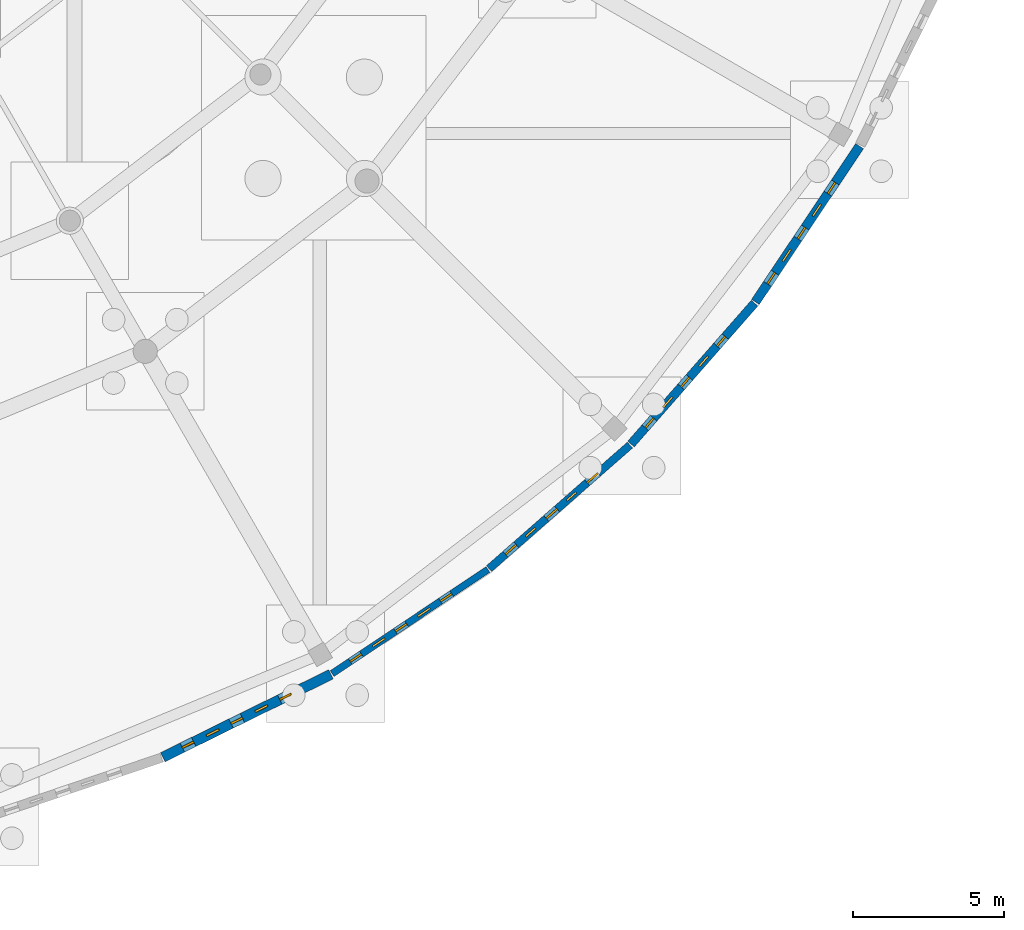
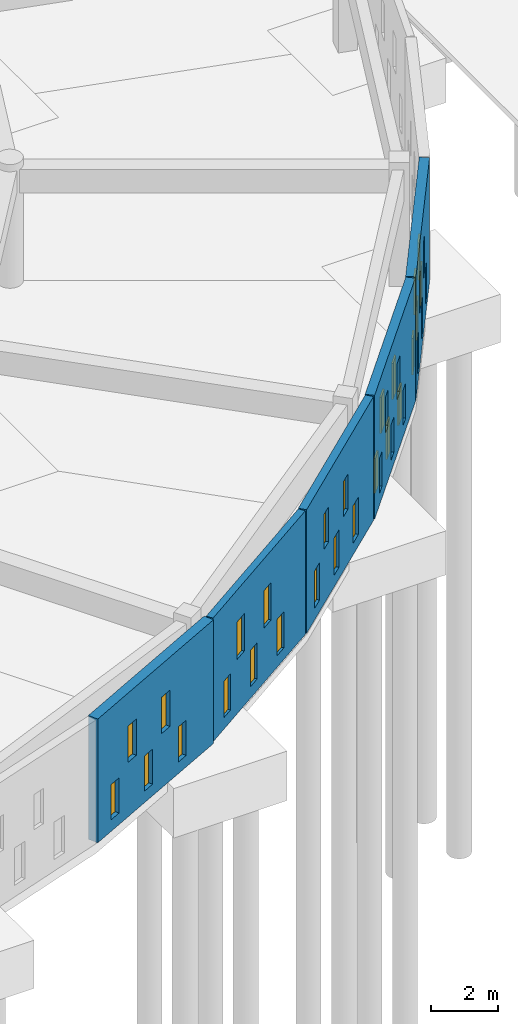
# One storey, part 46 of 84: 25 windows, 5 walls, 25 openings.
"""IFC4 building model written with IfcOpenShell, lengths in metres."""

from ifc_helpers import new_model, si_unit, direction, frame, frame_2d, origin, place, context, subcontext, project, spatial, rectangle, extrude, material, layer, layer_set, type_object, element, fill, save


model = new_model("IFC4")

# Units and contexts
model_context = context("Model", 3, precision=1e-05, world=origin(), true_north=direction((0.0, 1.0)))
body_context = subcontext(model_context, "Body", "Model", "MODEL_VIEW")
ifc_project = project(units=[si_unit("LENGTHUNIT", "METRE"), si_unit("AREAUNIT", "SQUARE_METRE"), si_unit("VOLUMEUNIT", "CUBIC_METRE"), si_unit("PLANEANGLEUNIT", "RADIAN"), si_unit("MASSUNIT", "GRAM", prefix="KILO")], contexts=[model_context])

# Site, building, storey
site_placement = place(None, origin())
site = spatial("IfcSite", under=ifc_project, at=site_placement, CompositionType="ELEMENT")
building_placement = place(site_placement, origin())
building = spatial("IfcBuilding", under=site, at=building_placement, Name="Larkveld Mobility Hub", CompositionType="ELEMENT")
storey_placement = place(building_placement, origin())
storey = spatial("IfcBuildingStorey", under=building, at=storey_placement, Name="L00", CompositionType="ELEMENT", Elevation=0.0)

# Wall, openings, windows
ifc_material_1 = material(Name="Fired clay brick 25 MPa", Category="masonry")
ifc_layer_1 = layer(ifc_material_1, 0.22998046875, Name="Fired clay brick 25 MPa", Category="masonry")
ifc_layer_set_1 = layer_set([ifc_layer_1], Name="Fired clay brick 25 MPa")
wall_type_1 = type_object("IfcWallType", Name="WL-BRK-230", PredefinedType="USERDEFINED", material=ifc_layer_set_1)
wall_1_placement = place(storey_placement, frame((71.945068359375, 6.573974609375, 0.0), z_axis=(0.0, 0.0, 1.0), x_axis=(0.831426871608, 0.555634193664, 0.0)))
wall_1 = element("IfcWall", 1, at=wall_1_placement, inside=storey, type_object=wall_type_1, Name="Drum Woven Open-Bond Brick Chord L00-0039", ObjectType="PERFORATED BRICK SCREEN", PredefinedType="USERDEFINED", context=body_context, shape_type="SweptSolid", body=[
    extrude(rectangle(XDim=6.210693359375, YDim=0.22998046875, at=frame_2d((3.10546875, 0.0))), origin(), (0.0, 0.0, 1.0), 4.5),
])
opening_1_placement = place(wall_1_placement, frame((0.719970703125, 0.0, 0.419921875)))
opening_1 = element("IfcOpeningElement", 2, at=opening_1_placement, cuts=wall_1, Name="Opening W02", PredefinedType="OPENING", context=body_context, shape_type="SweptSolid", body=[
    extrude(rectangle(XDim=0.449951171875, YDim=1.320068359375, at=frame_2d((0.22509765625, 0.66015625))), frame((0.0, 0.125, 0.0), z_axis=(0.0, -1.0, 0.0), x_axis=(1.0, 0.0, 0.0)), (0.0, 0.0, 1.0), 0.25),
])
opening_2_placement = place(wall_1_placement, frame((2.52001953125, 0.0, 0.419921875)))
opening_2 = element("IfcOpeningElement", 3, at=opening_2_placement, cuts=wall_1, Name="Opening W02", PredefinedType="OPENING", context=body_context, shape_type="SweptSolid", body=[
    extrude(rectangle(XDim=0.449951171875, YDim=1.320068359375, at=frame_2d((0.22509765625, 0.66015625))), frame((0.0, 0.125, 0.0), z_axis=(0.0, -1.0, 0.0), x_axis=(1.0, 0.0, 0.0)), (0.0, 0.0, 1.0), 0.25),
])
opening_3_placement = place(wall_1_placement, frame((4.320068359375, 0.0, 0.419921875)))
opening_3 = element("IfcOpeningElement", 4, at=opening_3_placement, cuts=wall_1, Name="Opening W02", PredefinedType="OPENING", context=body_context, shape_type="SweptSolid", body=[
    extrude(rectangle(XDim=0.449951171875, YDim=1.320068359375, at=frame_2d((0.22509765625, 0.66015625))), frame((0.0, 0.125, 0.0), z_axis=(0.0, -1.0, 0.0), x_axis=(1.0, 0.0, 0.0)), (0.0, 0.0, 1.0), 0.25),
])
opening_4_placement = place(wall_1_placement, frame((1.6201171875, 0.0, 1.97998046875)))
opening_4 = element("IfcOpeningElement", 5, at=opening_4_placement, cuts=wall_1, Name="Opening W03", PredefinedType="OPENING", context=body_context, shape_type="SweptSolid", body=[
    extrude(rectangle(XDim=0.47998046875, YDim=1.360107421875, at=frame_2d((0.239990234375, 0.68017578125))), frame((0.0, 0.125, 0.0), z_axis=(0.0, -1.0, 0.0), x_axis=(1.0, 0.0, 0.0)), (0.0, 0.0, 1.0), 0.25),
])
opening_5_placement = place(wall_1_placement, frame((3.419921875, 0.0, 1.97998046875)))
opening_5 = element("IfcOpeningElement", 6, at=opening_5_placement, cuts=wall_1, Name="Opening W03", PredefinedType="OPENING", context=body_context, shape_type="SweptSolid", body=[
    extrude(rectangle(XDim=0.47998046875, YDim=1.360107421875, at=frame_2d((0.239990234375, 0.68017578125))), frame((0.0, 0.125, 0.0), z_axis=(0.0, -1.0, 0.0), x_axis=(1.0, 0.0, 0.0)), (0.0, 0.0, 1.0), 0.25),
])
ifc_material_2 = material(Name="Extruded aluminium ventilation grille", Category="aluminium")
window_type_1 = type_object("IfcWindowType", Name="WN-VENT-02", PartitioningType="SINGLE_PANEL", PredefinedType="WINDOW", material=ifc_material_2)
window_1_placement = place(opening_1_placement, origin())
window_1 = element("IfcWindow", 7, at=window_1_placement, inside=storey, type_object=window_type_1, Name="Window W02 (0181)", OverallHeight=1.320068359375, OverallWidth=0.449951171875, PartitioningType="SINGLE_PANEL", PredefinedType="WINDOW", context=body_context, shape_type="SweptSolid", body=[
    extrude(rectangle(XDim=0.449951171875, YDim=1.320068359375, at=frame_2d((0.22509765625, 0.66015625))), frame((0.0, 0.030029296875, 0.0), z_axis=(0.0, -1.0, 0.0), x_axis=(1.0, 0.0, 0.0)), (0.0, 0.0, 1.0), 0.06005859375),
])
fill(opening_1, window_1)
window_2_placement = place(opening_2_placement, origin())
window_2 = element("IfcWindow", 8, at=window_2_placement, inside=storey, type_object=window_type_1, Name="Window W02 (0182)", OverallHeight=1.320068359375, OverallWidth=0.449951171875, PartitioningType="SINGLE_PANEL", PredefinedType="WINDOW", context=body_context, shape_type="SweptSolid", body=[
    extrude(rectangle(XDim=0.449951171875, YDim=1.320068359375, at=frame_2d((0.22509765625, 0.66015625))), frame((0.0, 0.030029296875, 0.0), z_axis=(0.0, -1.0, 0.0), x_axis=(1.0, 0.0, 0.0)), (0.0, 0.0, 1.0), 0.06005859375),
])
fill(opening_2, window_2)
window_3_placement = place(opening_3_placement, origin())
window_3 = element("IfcWindow", 9, at=window_3_placement, inside=storey, type_object=window_type_1, Name="Window W02 (0183)", OverallHeight=1.320068359375, OverallWidth=0.449951171875, PartitioningType="SINGLE_PANEL", PredefinedType="WINDOW", context=body_context, shape_type="SweptSolid", body=[
    extrude(rectangle(XDim=0.449951171875, YDim=1.320068359375, at=frame_2d((0.22509765625, 0.66015625))), frame((0.0, 0.030029296875, 0.0), z_axis=(0.0, -1.0, 0.0), x_axis=(1.0, 0.0, 0.0)), (0.0, 0.0, 1.0), 0.06005859375),
])
fill(opening_3, window_3)
window_type_2 = type_object("IfcWindowType", Name="WN-VENT-03", PartitioningType="SINGLE_PANEL", PredefinedType="WINDOW", material=ifc_material_2)
window_4_placement = place(opening_4_placement, origin())
window_4 = element("IfcWindow", 10, at=window_4_placement, inside=storey, type_object=window_type_2, Name="Window W03 (0184)", OverallHeight=1.360107421875, OverallWidth=0.47998046875, PartitioningType="SINGLE_PANEL", PredefinedType="WINDOW", context=body_context, shape_type="SweptSolid", body=[
    extrude(rectangle(XDim=0.47998046875, YDim=1.360107421875, at=frame_2d((0.239990234375, 0.68017578125))), frame((0.0, 0.030029296875, 0.0), z_axis=(0.0, -1.0, 0.0), x_axis=(1.0, 0.0, 0.0)), (0.0, 0.0, 1.0), 0.06005859375),
])
fill(opening_4, window_4)
window_5_placement = place(opening_5_placement, origin())
window_5 = element("IfcWindow", 11, at=window_5_placement, inside=storey, type_object=window_type_2, Name="Window W03 (0185)", OverallHeight=1.360107421875, OverallWidth=0.47998046875, PartitioningType="SINGLE_PANEL", PredefinedType="WINDOW", context=body_context, shape_type="SweptSolid", body=[
    extrude(rectangle(XDim=0.47998046875, YDim=1.360107421875, at=frame_2d((0.239990234375, 0.68017578125))), frame((0.0, 0.030029296875, 0.0), z_axis=(0.0, -1.0, 0.0), x_axis=(1.0, 0.0, 0.0)), (0.0, 0.0, 1.0), 0.06005859375),
])
fill(opening_5, window_5)

ifc_layer_2 = layer(ifc_material_1, 0.260009765625, Name="Fired clay brick 25 MPa", Category="masonry")
ifc_layer_set_2 = layer_set([ifc_layer_2], Name="Fired clay brick 25 MPa")
wall_type_2 = type_object("IfcWallType", Name="WL-BRK-260", PredefinedType="USERDEFINED", material=ifc_layer_set_2)
wall_2_placement = place(storey_placement, frame((77.14697265625, 10.053955078125, 0.0), z_axis=(0.0, 0.0, 1.0), x_axis=(0.751874993266, 0.65930569124, 0.0)))
wall_2 = element("IfcWall", 12, at=wall_2_placement, inside=storey, type_object=wall_type_2, Name="Drum Woven Open-Bond Brick Chord L00-0040", ObjectType="PERFORATED BRICK SCREEN", PredefinedType="USERDEFINED", context=body_context, shape_type="SweptSolid", body=[
    extrude(rectangle(XDim=6.2109375, YDim=0.260009765625, at=frame_2d((3.10546875, 0.0))), origin(), (0.0, 0.0, 1.0), 4.5),
])
opening_6_placement = place(wall_2_placement, frame((0.719970703125, 0.0, 0.419921875)))
opening_6 = element("IfcOpeningElement", 13, at=opening_6_placement, cuts=wall_2, Name="Opening W03", PredefinedType="OPENING", context=body_context, shape_type="SweptSolid", body=[
    extrude(rectangle(XDim=0.47998046875, YDim=1.360107421875, at=frame_2d((0.239990234375, 0.68017578125))), frame((0.0, 0.14013671875, 0.0), z_axis=(0.0, -1.0, 0.0), x_axis=(1.0, 0.0, 0.0)), (0.0, 0.0, 1.0), 0.280029296875),
])
opening_7_placement = place(wall_2_placement, frame((2.52001953125, 0.0, 0.419921875)))
opening_7 = element("IfcOpeningElement", 14, at=opening_7_placement, cuts=wall_2, Name="Opening W03", PredefinedType="OPENING", context=body_context, shape_type="SweptSolid", body=[
    extrude(rectangle(XDim=0.47998046875, YDim=1.360107421875, at=frame_2d((0.239990234375, 0.68017578125))), frame((0.0, 0.14013671875, 0.0), z_axis=(0.0, -1.0, 0.0), x_axis=(1.0, 0.0, 0.0)), (0.0, 0.0, 1.0), 0.280029296875),
])
opening_8_placement = place(wall_2_placement, frame((4.320068359375, 0.0, 0.419921875)))
opening_8 = element("IfcOpeningElement", 15, at=opening_8_placement, cuts=wall_2, Name="Opening W03", PredefinedType="OPENING", context=body_context, shape_type="SweptSolid", body=[
    extrude(rectangle(XDim=0.47998046875, YDim=1.360107421875, at=frame_2d((0.239990234375, 0.68017578125))), frame((0.0, 0.14013671875, 0.0), z_axis=(0.0, -1.0, 0.0), x_axis=(1.0, 0.0, 0.0)), (0.0, 0.0, 1.0), 0.280029296875),
])
opening_9_placement = place(wall_2_placement, frame((1.6201171875, 0.0, 1.97998046875)))
opening_9 = element("IfcOpeningElement", 16, at=opening_9_placement, cuts=wall_2, Name="Opening W01", PredefinedType="OPENING", context=body_context, shape_type="SweptSolid", body=[
    extrude(rectangle(XDim=0.419921875, YDim=1.280029296875, at=frame_2d((0.2099609375, 0.64013671875))), frame((0.0, 0.14013671875, 0.0), z_axis=(0.0, -1.0, 0.0), x_axis=(1.0, 0.0, 0.0)), (0.0, 0.0, 1.0), 0.280029296875),
])
opening_10_placement = place(wall_2_placement, frame((3.419921875, 0.0, 1.97998046875)))
opening_10 = element("IfcOpeningElement", 17, at=opening_10_placement, cuts=wall_2, Name="Opening W01", PredefinedType="OPENING", context=body_context, shape_type="SweptSolid", body=[
    extrude(rectangle(XDim=0.419921875, YDim=1.280029296875, at=frame_2d((0.2099609375, 0.64013671875))), frame((0.0, 0.14013671875, 0.0), z_axis=(0.0, -1.0, 0.0), x_axis=(1.0, 0.0, 0.0)), (0.0, 0.0, 1.0), 0.280029296875),
])
window_type_3 = type_object("IfcWindowType", Name="WN-VENT-01", PartitioningType="SINGLE_PANEL", PredefinedType="WINDOW", material=ifc_material_2)
window_6_placement = place(opening_9_placement, origin())
window_6 = element("IfcWindow", 18, at=window_6_placement, inside=storey, type_object=window_type_3, Name="Window W01 (0189)", OverallHeight=1.280029296875, OverallWidth=0.419921875, PartitioningType="SINGLE_PANEL", PredefinedType="WINDOW", context=body_context, shape_type="SweptSolid", body=[
    extrude(rectangle(XDim=0.419921875, YDim=1.280029296875, at=frame_2d((0.2099609375, 0.64013671875))), frame((0.0, 0.030029296875, 0.0), z_axis=(0.0, -1.0, 0.0), x_axis=(1.0, 0.0, 0.0)), (0.0, 0.0, 1.0), 0.06005859375),
])
fill(opening_9, window_6)
window_7_placement = place(opening_10_placement, origin())
window_7 = element("IfcWindow", 19, at=window_7_placement, inside=storey, type_object=window_type_3, Name="Window W01 (0190)", OverallHeight=1.280029296875, OverallWidth=0.419921875, PartitioningType="SINGLE_PANEL", PredefinedType="WINDOW", context=body_context, shape_type="SweptSolid", body=[
    extrude(rectangle(XDim=0.419921875, YDim=1.280029296875, at=frame_2d((0.2099609375, 0.64013671875))), frame((0.0, 0.030029296875, 0.0), z_axis=(0.0, -1.0, 0.0), x_axis=(1.0, 0.0, 0.0)), (0.0, 0.0, 1.0), 0.06005859375),
])
fill(opening_10, window_7)
window_8_placement = place(opening_6_placement, origin())
window_8 = element("IfcWindow", 20, at=window_8_placement, inside=storey, type_object=window_type_2, Name="Window W03 (0186)", OverallHeight=1.360107421875, OverallWidth=0.47998046875, PartitioningType="SINGLE_PANEL", PredefinedType="WINDOW", context=body_context, shape_type="SweptSolid", body=[
    extrude(rectangle(XDim=0.47998046875, YDim=1.360107421875, at=frame_2d((0.239990234375, 0.68017578125))), frame((0.0, 0.030029296875, 0.0), z_axis=(0.0, -1.0, 0.0), x_axis=(1.0, 0.0, 0.0)), (0.0, 0.0, 1.0), 0.06005859375),
])
fill(opening_6, window_8)
window_9_placement = place(opening_7_placement, origin())
window_9 = element("IfcWindow", 21, at=window_9_placement, inside=storey, type_object=window_type_2, Name="Window W03 (0187)", OverallHeight=1.360107421875, OverallWidth=0.47998046875, PartitioningType="SINGLE_PANEL", PredefinedType="WINDOW", context=body_context, shape_type="SweptSolid", body=[
    extrude(rectangle(XDim=0.47998046875, YDim=1.360107421875, at=frame_2d((0.239990234375, 0.68017578125))), frame((0.0, 0.030029296875, 0.0), z_axis=(0.0, -1.0, 0.0), x_axis=(1.0, 0.0, 0.0)), (0.0, 0.0, 1.0), 0.06005859375),
])
fill(opening_7, window_9)
window_10_placement = place(opening_8_placement, origin())
window_10 = element("IfcWindow", 22, at=window_10_placement, inside=storey, type_object=window_type_2, Name="Window W03 (0188)", OverallHeight=1.360107421875, OverallWidth=0.47998046875, PartitioningType="SINGLE_PANEL", PredefinedType="WINDOW", context=body_context, shape_type="SweptSolid", body=[
    extrude(rectangle(XDim=0.47998046875, YDim=1.360107421875, at=frame_2d((0.239990234375, 0.68017578125))), frame((0.0, 0.030029296875, 0.0), z_axis=(0.0, -1.0, 0.0), x_axis=(1.0, 0.0, 0.0)), (0.0, 0.0, 1.0), 0.06005859375),
])
fill(opening_8, window_10)

ifc_layer_3 = layer(ifc_material_1, 0.2900390625, Name="Fired clay brick 25 MPa", Category="masonry")
ifc_layer_set_3 = layer_set([ifc_layer_3], Name="Fired clay brick 25 MPa")
wall_type_3 = type_object("IfcWallType", Name="WL-BRK-290", PredefinedType="USERDEFINED", material=ifc_layer_set_3)
wall_3_placement = place(storey_placement, frame((81.85107421875, 14.18310546875, 0.0), z_axis=(0.0, 0.0, 1.0), x_axis=(0.65930569124, 0.751874993266, 0.0)))
wall_3 = element("IfcWall", 23, at=wall_3_placement, inside=storey, type_object=wall_type_3, Name="Drum Woven Open-Bond Brick Chord L00-0041", ObjectType="PERFORATED BRICK SCREEN", PredefinedType="USERDEFINED", context=body_context, shape_type="SweptSolid", body=[
    extrude(rectangle(XDim=6.2109375, YDim=0.2900390625, at=frame_2d((3.10546875, 0.0))), origin(), (0.0, 0.0, 1.0), 4.5),
])
opening_11_placement = place(wall_3_placement, frame((0.719970703125, 0.0, 0.419921875)))
opening_11 = element("IfcOpeningElement", 24, at=opening_11_placement, cuts=wall_3, Name="Opening W01", PredefinedType="OPENING", context=body_context, shape_type="SweptSolid", body=[
    extrude(rectangle(XDim=0.419921875, YDim=1.280029296875, at=frame_2d((0.2099609375, 0.64013671875))), frame((0.0, 0.155029296875, 0.0), z_axis=(0.0, -1.0, 0.0), x_axis=(1.0, 0.0, 0.0)), (0.0, 0.0, 1.0), 0.31005859375),
])
opening_12_placement = place(wall_3_placement, frame((2.52001953125, 0.0, 0.419921875)))
opening_12 = element("IfcOpeningElement", 25, at=opening_12_placement, cuts=wall_3, Name="Opening W01", PredefinedType="OPENING", context=body_context, shape_type="SweptSolid", body=[
    extrude(rectangle(XDim=0.419921875, YDim=1.280029296875, at=frame_2d((0.2099609375, 0.64013671875))), frame((0.0, 0.155029296875, 0.0), z_axis=(0.0, -1.0, 0.0), x_axis=(1.0, 0.0, 0.0)), (0.0, 0.0, 1.0), 0.31005859375),
])
opening_13_placement = place(wall_3_placement, frame((4.320068359375, 0.0, 0.419921875)))
opening_13 = element("IfcOpeningElement", 26, at=opening_13_placement, cuts=wall_3, Name="Opening W01", PredefinedType="OPENING", context=body_context, shape_type="SweptSolid", body=[
    extrude(rectangle(XDim=0.419921875, YDim=1.280029296875, at=frame_2d((0.2099609375, 0.64013671875))), frame((0.0, 0.155029296875, 0.0), z_axis=(0.0, -1.0, 0.0), x_axis=(1.0, 0.0, 0.0)), (0.0, 0.0, 1.0), 0.31005859375),
])
opening_14_placement = place(wall_3_placement, frame((1.6201171875, 0.0, 1.97998046875)))
opening_14 = element("IfcOpeningElement", 27, at=opening_14_placement, cuts=wall_3, Name="Opening W02", PredefinedType="OPENING", context=body_context, shape_type="SweptSolid", body=[
    extrude(rectangle(XDim=0.449951171875, YDim=1.320068359375, at=frame_2d((0.22509765625, 0.66015625))), frame((0.0, 0.155029296875, 0.0), z_axis=(0.0, -1.0, 0.0), x_axis=(1.0, 0.0, 0.0)), (0.0, 0.0, 1.0), 0.31005859375),
])
opening_15_placement = place(wall_3_placement, frame((3.419921875, 0.0, 1.97998046875)))
opening_15 = element("IfcOpeningElement", 28, at=opening_15_placement, cuts=wall_3, Name="Opening W02", PredefinedType="OPENING", context=body_context, shape_type="SweptSolid", body=[
    extrude(rectangle(XDim=0.449951171875, YDim=1.320068359375, at=frame_2d((0.22509765625, 0.66015625))), frame((0.0, 0.155029296875, 0.0), z_axis=(0.0, -1.0, 0.0), x_axis=(1.0, 0.0, 0.0)), (0.0, 0.0, 1.0), 0.31005859375),
])
window_11_placement = place(opening_11_placement, origin())
window_11 = element("IfcWindow", 29, at=window_11_placement, inside=storey, type_object=window_type_3, Name="Window W01 (0191)", OverallHeight=1.280029296875, OverallWidth=0.419921875, PartitioningType="SINGLE_PANEL", PredefinedType="WINDOW", context=body_context, shape_type="SweptSolid", body=[
    extrude(rectangle(XDim=0.419921875, YDim=1.280029296875, at=frame_2d((0.2099609375, 0.64013671875))), frame((0.0, 0.030029296875, 0.0), z_axis=(0.0, -1.0, 0.0), x_axis=(1.0, 0.0, 0.0)), (0.0, 0.0, 1.0), 0.06005859375),
])
fill(opening_11, window_11)
window_12_placement = place(opening_12_placement, origin())
window_12 = element("IfcWindow", 30, at=window_12_placement, inside=storey, type_object=window_type_3, Name="Window W01 (0192)", OverallHeight=1.280029296875, OverallWidth=0.419921875, PartitioningType="SINGLE_PANEL", PredefinedType="WINDOW", context=body_context, shape_type="SweptSolid", body=[
    extrude(rectangle(XDim=0.419921875, YDim=1.280029296875, at=frame_2d((0.2099609375, 0.64013671875))), frame((0.0, 0.030029296875, 0.0), z_axis=(0.0, -1.0, 0.0), x_axis=(1.0, 0.0, 0.0)), (0.0, 0.0, 1.0), 0.06005859375),
])
fill(opening_12, window_12)
window_13_placement = place(opening_13_placement, origin())
window_13 = element("IfcWindow", 31, at=window_13_placement, inside=storey, type_object=window_type_3, Name="Window W01 (0193)", OverallHeight=1.280029296875, OverallWidth=0.419921875, PartitioningType="SINGLE_PANEL", PredefinedType="WINDOW", context=body_context, shape_type="SweptSolid", body=[
    extrude(rectangle(XDim=0.419921875, YDim=1.280029296875, at=frame_2d((0.2099609375, 0.64013671875))), frame((0.0, 0.030029296875, 0.0), z_axis=(0.0, -1.0, 0.0), x_axis=(1.0, 0.0, 0.0)), (0.0, 0.0, 1.0), 0.06005859375),
])
fill(opening_13, window_13)
window_14_placement = place(opening_14_placement, origin())
window_14 = element("IfcWindow", 32, at=window_14_placement, inside=storey, type_object=window_type_1, Name="Window W02 (0194)", OverallHeight=1.320068359375, OverallWidth=0.449951171875, PartitioningType="SINGLE_PANEL", PredefinedType="WINDOW", context=body_context, shape_type="SweptSolid", body=[
    extrude(rectangle(XDim=0.449951171875, YDim=1.320068359375, at=frame_2d((0.22509765625, 0.66015625))), frame((0.0, 0.030029296875, 0.0), z_axis=(0.0, -1.0, 0.0), x_axis=(1.0, 0.0, 0.0)), (0.0, 0.0, 1.0), 0.06005859375),
])
fill(opening_14, window_14)
window_15_placement = place(opening_15_placement, origin())
window_15 = element("IfcWindow", 33, at=window_15_placement, inside=storey, type_object=window_type_1, Name="Window W02 (0195)", OverallHeight=1.320068359375, OverallWidth=0.449951171875, PartitioningType="SINGLE_PANEL", PredefinedType="WINDOW", context=body_context, shape_type="SweptSolid", body=[
    extrude(rectangle(XDim=0.449951171875, YDim=1.320068359375, at=frame_2d((0.22509765625, 0.66015625))), frame((0.0, 0.030029296875, 0.0), z_axis=(0.0, -1.0, 0.0), x_axis=(1.0, 0.0, 0.0)), (0.0, 0.0, 1.0), 0.06005859375),
])
fill(opening_15, window_15)

ifc_layer_4 = layer(ifc_material_1, 0.31005859375, Name="Fired clay brick 25 MPa", Category="masonry")
ifc_layer_set_4 = layer_set([ifc_layer_4], Name="Fired clay brick 25 MPa")
wall_type_4 = type_object("IfcWallType", Name="WL-BRK-310", PredefinedType="USERDEFINED", material=ifc_layer_set_4)
wall_4_placement = place(storey_placement, frame((85.97509765625, 18.89111328125, 0.0), z_axis=(0.0, 0.0, 1.0), x_axis=(0.555634193664, 0.831426871608, 0.0)))
wall_4 = element("IfcWall", 34, at=wall_4_placement, inside=storey, type_object=wall_type_4, Name="Drum Woven Open-Bond Brick Chord L00-0042", ObjectType="PERFORATED BRICK SCREEN", PredefinedType="USERDEFINED", context=body_context, shape_type="SweptSolid", body=[
    extrude(rectangle(XDim=6.210693359375, YDim=0.31005859375, at=frame_2d((3.10546875, 0.0))), origin(), (0.0, 0.0, 1.0), 4.5),
])
opening_16_placement = place(wall_4_placement, frame((0.719970703125, 0.0, 0.419921875)))
opening_16 = element("IfcOpeningElement", 35, at=opening_16_placement, cuts=wall_4, Name="Opening W02", PredefinedType="OPENING", context=body_context, shape_type="SweptSolid", body=[
    extrude(rectangle(XDim=0.449951171875, YDim=1.320068359375, at=frame_2d((0.22509765625, 0.66015625))), frame((0.0, 0.1650390625, 0.0), z_axis=(0.0, -1.0, 0.0), x_axis=(1.0, 0.0, 0.0)), (0.0, 0.0, 1.0), 0.330078125),
])
opening_17_placement = place(wall_4_placement, frame((2.52001953125, 0.0, 0.419921875)))
opening_17 = element("IfcOpeningElement", 36, at=opening_17_placement, cuts=wall_4, Name="Opening W02", PredefinedType="OPENING", context=body_context, shape_type="SweptSolid", body=[
    extrude(rectangle(XDim=0.449951171875, YDim=1.320068359375, at=frame_2d((0.22509765625, 0.66015625))), frame((0.0, 0.1650390625, 0.0), z_axis=(0.0, -1.0, 0.0), x_axis=(1.0, 0.0, 0.0)), (0.0, 0.0, 1.0), 0.330078125),
])
opening_18_placement = place(wall_4_placement, frame((4.320068359375, 0.0, 0.419921875)))
opening_18 = element("IfcOpeningElement", 37, at=opening_18_placement, cuts=wall_4, Name="Opening W02", PredefinedType="OPENING", context=body_context, shape_type="SweptSolid", body=[
    extrude(rectangle(XDim=0.449951171875, YDim=1.320068359375, at=frame_2d((0.22509765625, 0.66015625))), frame((0.0, 0.1650390625, 0.0), z_axis=(0.0, -1.0, 0.0), x_axis=(1.0, 0.0, 0.0)), (0.0, 0.0, 1.0), 0.330078125),
])
opening_19_placement = place(wall_4_placement, frame((1.6201171875, 0.0, 1.97998046875)))
opening_19 = element("IfcOpeningElement", 38, at=opening_19_placement, cuts=wall_4, Name="Opening W03", PredefinedType="OPENING", context=body_context, shape_type="SweptSolid", body=[
    extrude(rectangle(XDim=0.47998046875, YDim=1.360107421875, at=frame_2d((0.239990234375, 0.68017578125))), frame((0.0, 0.1650390625, 0.0), z_axis=(0.0, -1.0, 0.0), x_axis=(1.0, 0.0, 0.0)), (0.0, 0.0, 1.0), 0.330078125),
])
opening_20_placement = place(wall_4_placement, frame((3.419921875, 0.0, 1.97998046875)))
opening_20 = element("IfcOpeningElement", 39, at=opening_20_placement, cuts=wall_4, Name="Opening W03", PredefinedType="OPENING", context=body_context, shape_type="SweptSolid", body=[
    extrude(rectangle(XDim=0.47998046875, YDim=1.360107421875, at=frame_2d((0.239990234375, 0.68017578125))), frame((0.0, 0.1650390625, 0.0), z_axis=(0.0, -1.0, 0.0), x_axis=(1.0, 0.0, 0.0)), (0.0, 0.0, 1.0), 0.330078125),
])
window_16_placement = place(opening_16_placement, origin())
window_16 = element("IfcWindow", 40, at=window_16_placement, inside=storey, type_object=window_type_1, Name="Window W02 (0196)", OverallHeight=1.320068359375, OverallWidth=0.449951171875, PartitioningType="SINGLE_PANEL", PredefinedType="WINDOW", context=body_context, shape_type="SweptSolid", body=[
    extrude(rectangle(XDim=0.449951171875, YDim=1.320068359375, at=frame_2d((0.22509765625, 0.66015625))), frame((0.0, 0.030029296875, 0.0), z_axis=(0.0, -1.0, 0.0), x_axis=(1.0, 0.0, 0.0)), (0.0, 0.0, 1.0), 0.06005859375),
])
fill(opening_16, window_16)
window_17_placement = place(opening_17_placement, origin())
window_17 = element("IfcWindow", 41, at=window_17_placement, inside=storey, type_object=window_type_1, Name="Window W02 (0197)", OverallHeight=1.320068359375, OverallWidth=0.449951171875, PartitioningType="SINGLE_PANEL", PredefinedType="WINDOW", context=body_context, shape_type="SweptSolid", body=[
    extrude(rectangle(XDim=0.449951171875, YDim=1.320068359375, at=frame_2d((0.22509765625, 0.66015625))), frame((0.0, 0.030029296875, 0.0), z_axis=(0.0, -1.0, 0.0), x_axis=(1.0, 0.0, 0.0)), (0.0, 0.0, 1.0), 0.06005859375),
])
fill(opening_17, window_17)
window_18_placement = place(opening_18_placement, origin())
window_18 = element("IfcWindow", 42, at=window_18_placement, inside=storey, type_object=window_type_1, Name="Window W02 (0198)", OverallHeight=1.320068359375, OverallWidth=0.449951171875, PartitioningType="SINGLE_PANEL", PredefinedType="WINDOW", context=body_context, shape_type="SweptSolid", body=[
    extrude(rectangle(XDim=0.449951171875, YDim=1.320068359375, at=frame_2d((0.22509765625, 0.66015625))), frame((0.0, 0.030029296875, 0.0), z_axis=(0.0, -1.0, 0.0), x_axis=(1.0, 0.0, 0.0)), (0.0, 0.0, 1.0), 0.06005859375),
])
fill(opening_18, window_18)
window_19_placement = place(opening_19_placement, origin())
window_19 = element("IfcWindow", 43, at=window_19_placement, inside=storey, type_object=window_type_2, Name="Window W03 (0199)", OverallHeight=1.360107421875, OverallWidth=0.47998046875, PartitioningType="SINGLE_PANEL", PredefinedType="WINDOW", context=body_context, shape_type="SweptSolid", body=[
    extrude(rectangle(XDim=0.47998046875, YDim=1.360107421875, at=frame_2d((0.239990234375, 0.68017578125))), frame((0.0, 0.030029296875, 0.0), z_axis=(0.0, -1.0, 0.0), x_axis=(1.0, 0.0, 0.0)), (0.0, 0.0, 1.0), 0.06005859375),
])
fill(opening_19, window_19)
window_20_placement = place(opening_20_placement, origin())
window_20 = element("IfcWindow", 44, at=window_20_placement, inside=storey, type_object=window_type_2, Name="Window W03 (0200)", OverallHeight=1.360107421875, OverallWidth=0.47998046875, PartitioningType="SINGLE_PANEL", PredefinedType="WINDOW", context=body_context, shape_type="SweptSolid", body=[
    extrude(rectangle(XDim=0.47998046875, YDim=1.360107421875, at=frame_2d((0.239990234375, 0.68017578125))), frame((0.0, 0.030029296875, 0.0), z_axis=(0.0, -1.0, 0.0), x_axis=(1.0, 0.0, 0.0)), (0.0, 0.0, 1.0), 0.06005859375),
])
fill(opening_20, window_20)

ifc_layer_5 = layer(ifc_material_1, 0.340087890625, Name="Fired clay brick 25 MPa", Category="masonry")
ifc_layer_set_5 = layer_set([ifc_layer_5], Name="Fired clay brick 25 MPa")
wall_type_5 = type_object("IfcWallType", Name="WL-BRK-340", PredefinedType="USERDEFINED", material=ifc_layer_set_5)
wall_5_placement = place(storey_placement, frame((66.3330078125, 3.802978515625, 0.0), z_axis=(0.0, 0.0, 1.0), x_axis=(0.896858908126, 0.442316740488, 0.0)))
wall_5 = element("IfcWall", 45, at=wall_5_placement, inside=storey, type_object=wall_type_5, Name="Drum Woven Open-Bond Brick Chord L00-0038", ObjectType="PERFORATED BRICK SCREEN", PredefinedType="USERDEFINED", context=body_context, shape_type="SweptSolid", body=[
    extrude(rectangle(XDim=6.210693359375, YDim=0.340087890625, at=frame_2d((3.10546875, 0.0))), origin(), (0.0, 0.0, 1.0), 4.5),
])
opening_21_placement = place(wall_5_placement, frame((0.719970703125, 0.0, 0.419921875)))
opening_21 = element("IfcOpeningElement", 46, at=opening_21_placement, cuts=wall_5, Name="Opening W01", PredefinedType="OPENING", context=body_context, shape_type="SweptSolid", body=[
    extrude(rectangle(XDim=0.419921875, YDim=1.280029296875, at=frame_2d((0.2099609375, 0.64013671875))), frame((0.0, 0.18017578125, 0.0), z_axis=(0.0, -1.0, 0.0), x_axis=(1.0, 0.0, 0.0)), (0.0, 0.0, 1.0), 0.360107421875),
])
opening_22_placement = place(wall_5_placement, frame((2.52001953125, 0.0, 0.419921875)))
opening_22 = element("IfcOpeningElement", 47, at=opening_22_placement, cuts=wall_5, Name="Opening W01", PredefinedType="OPENING", context=body_context, shape_type="SweptSolid", body=[
    extrude(rectangle(XDim=0.419921875, YDim=1.280029296875, at=frame_2d((0.2099609375, 0.64013671875))), frame((0.0, 0.18017578125, 0.0), z_axis=(0.0, -1.0, 0.0), x_axis=(1.0, 0.0, 0.0)), (0.0, 0.0, 1.0), 0.360107421875),
])
opening_23_placement = place(wall_5_placement, frame((4.320068359375, 0.0, 0.419921875)))
opening_23 = element("IfcOpeningElement", 48, at=opening_23_placement, cuts=wall_5, Name="Opening W01", PredefinedType="OPENING", context=body_context, shape_type="SweptSolid", body=[
    extrude(rectangle(XDim=0.419921875, YDim=1.280029296875, at=frame_2d((0.2099609375, 0.64013671875))), frame((0.0, 0.18017578125, 0.0), z_axis=(0.0, -1.0, 0.0), x_axis=(1.0, 0.0, 0.0)), (0.0, 0.0, 1.0), 0.360107421875),
])
opening_24_placement = place(wall_5_placement, frame((1.6201171875, 0.0, 1.97998046875)))
opening_24 = element("IfcOpeningElement", 49, at=opening_24_placement, cuts=wall_5, Name="Opening W02", PredefinedType="OPENING", context=body_context, shape_type="SweptSolid", body=[
    extrude(rectangle(XDim=0.449951171875, YDim=1.320068359375, at=frame_2d((0.22509765625, 0.66015625))), frame((0.0, 0.18017578125, 0.0), z_axis=(0.0, -1.0, 0.0), x_axis=(1.0, 0.0, 0.0)), (0.0, 0.0, 1.0), 0.360107421875),
])
opening_25_placement = place(wall_5_placement, frame((3.419921875, 0.0, 1.97998046875)))
opening_25 = element("IfcOpeningElement", 50, at=opening_25_placement, cuts=wall_5, Name="Opening W02", PredefinedType="OPENING", context=body_context, shape_type="SweptSolid", body=[
    extrude(rectangle(XDim=0.449951171875, YDim=1.320068359375, at=frame_2d((0.22509765625, 0.66015625))), frame((0.0, 0.18017578125, 0.0), z_axis=(0.0, -1.0, 0.0), x_axis=(1.0, 0.0, 0.0)), (0.0, 0.0, 1.0), 0.360107421875),
])
window_21_placement = place(opening_21_placement, origin())
window_21 = element("IfcWindow", 51, at=window_21_placement, inside=storey, type_object=window_type_3, Name="Window W01 (0176)", OverallHeight=1.280029296875, OverallWidth=0.419921875, PartitioningType="SINGLE_PANEL", PredefinedType="WINDOW", context=body_context, shape_type="SweptSolid", body=[
    extrude(rectangle(XDim=0.419921875, YDim=1.280029296875, at=frame_2d((0.2099609375, 0.64013671875))), frame((0.0, 0.030029296875, 0.0), z_axis=(0.0, -1.0, 0.0), x_axis=(1.0, 0.0, 0.0)), (0.0, 0.0, 1.0), 0.06005859375),
])
fill(opening_21, window_21)
window_22_placement = place(opening_22_placement, origin())
window_22 = element("IfcWindow", 52, at=window_22_placement, inside=storey, type_object=window_type_3, Name="Window W01 (0177)", OverallHeight=1.280029296875, OverallWidth=0.419921875, PartitioningType="SINGLE_PANEL", PredefinedType="WINDOW", context=body_context, shape_type="SweptSolid", body=[
    extrude(rectangle(XDim=0.419921875, YDim=1.280029296875, at=frame_2d((0.2099609375, 0.64013671875))), frame((0.0, 0.030029296875, 0.0), z_axis=(0.0, -1.0, 0.0), x_axis=(1.0, 0.0, 0.0)), (0.0, 0.0, 1.0), 0.06005859375),
])
fill(opening_22, window_22)
window_23_placement = place(opening_23_placement, origin())
window_23 = element("IfcWindow", 53, at=window_23_placement, inside=storey, type_object=window_type_3, Name="Window W01 (0178)", OverallHeight=1.280029296875, OverallWidth=0.419921875, PartitioningType="SINGLE_PANEL", PredefinedType="WINDOW", context=body_context, shape_type="SweptSolid", body=[
    extrude(rectangle(XDim=0.419921875, YDim=1.280029296875, at=frame_2d((0.2099609375, 0.64013671875))), frame((0.0, 0.030029296875, 0.0), z_axis=(0.0, -1.0, 0.0), x_axis=(1.0, 0.0, 0.0)), (0.0, 0.0, 1.0), 0.06005859375),
])
fill(opening_23, window_23)
window_24_placement = place(opening_24_placement, origin())
window_24 = element("IfcWindow", 54, at=window_24_placement, inside=storey, type_object=window_type_1, Name="Window W02 (0179)", OverallHeight=1.320068359375, OverallWidth=0.449951171875, PartitioningType="SINGLE_PANEL", PredefinedType="WINDOW", context=body_context, shape_type="SweptSolid", body=[
    extrude(rectangle(XDim=0.449951171875, YDim=1.320068359375, at=frame_2d((0.22509765625, 0.66015625))), frame((0.0, 0.030029296875, 0.0), z_axis=(0.0, -1.0, 0.0), x_axis=(1.0, 0.0, 0.0)), (0.0, 0.0, 1.0), 0.06005859375),
])
fill(opening_24, window_24)
window_25_placement = place(opening_25_placement, origin())
window_25 = element("IfcWindow", 55, at=window_25_placement, inside=storey, type_object=window_type_1, Name="Window W02 (0180)", OverallHeight=1.320068359375, OverallWidth=0.449951171875, PartitioningType="SINGLE_PANEL", PredefinedType="WINDOW", context=body_context, shape_type="SweptSolid", body=[
    extrude(rectangle(XDim=0.449951171875, YDim=1.320068359375, at=frame_2d((0.22509765625, 0.66015625))), frame((0.0, 0.030029296875, 0.0), z_axis=(0.0, -1.0, 0.0), x_axis=(1.0, 0.0, 0.0)), (0.0, 0.0, 1.0), 0.06005859375),
])
fill(opening_25, window_25)

save(model, "model.ifc")
